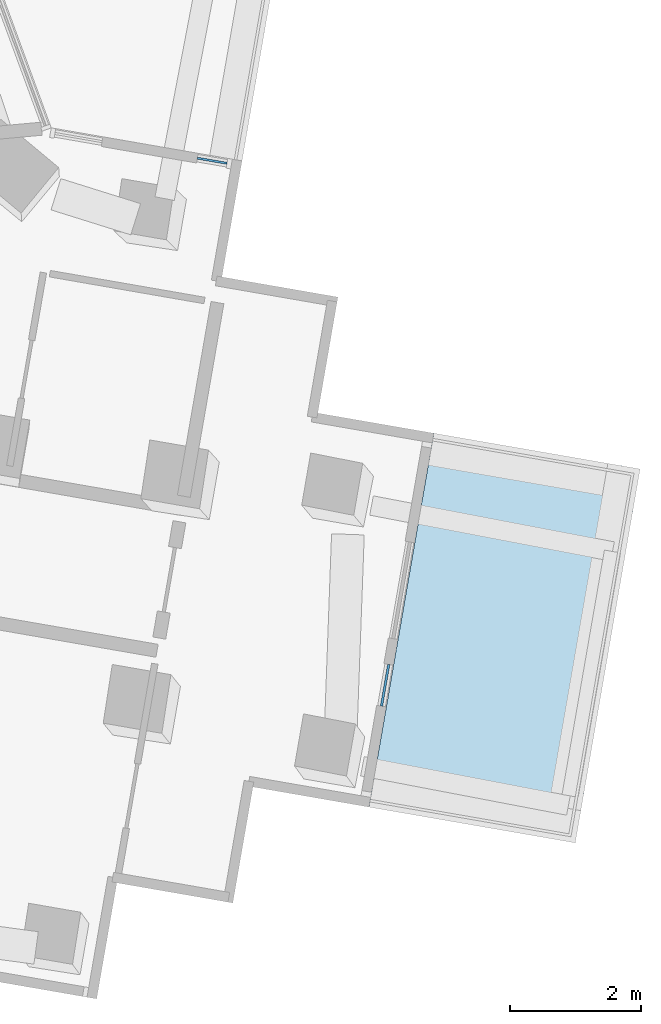
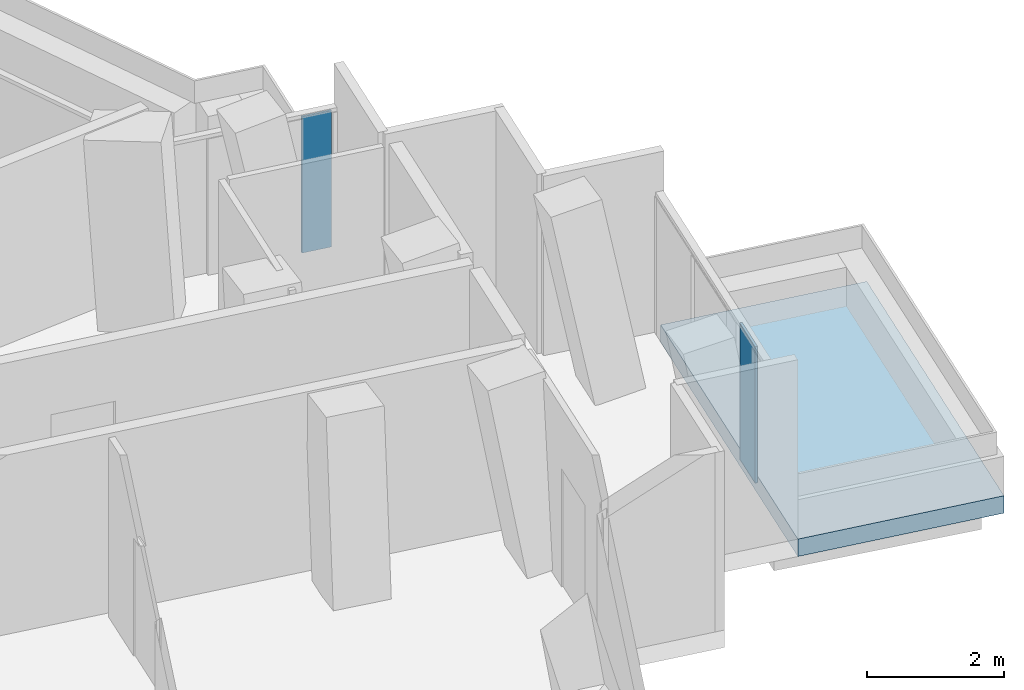
# One storey, part 13 of 24: 2 plates, 1 slab, 2 elements without a shape of their own.
"""IFC4 building model written with IfcOpenShell, lengths in metres."""

from ifc_helpers import new_model, si_unit, direction, frame, origin, origin_2d, place, context, subcontext, project, spatial, polyline, rectangle, outline, extrude, material, layer, layer_set, type_object, element, aggregate, save


model = new_model("IFC4")

# Units and contexts
model_context = context("Model", 3, precision=1e-05, world=origin(), true_north=direction((0.0, 1.0)))
body_context = subcontext(model_context, "Body", "Model", "MODEL_VIEW")
ifc_project = project(units=[si_unit("LENGTHUNIT", "METRE"), si_unit("AREAUNIT", "SQUARE_METRE"), si_unit("VOLUMEUNIT", "CUBIC_METRE"), si_unit("PLANEANGLEUNIT", "RADIAN"), si_unit("MASSUNIT", "GRAM", prefix="KILO")], contexts=[model_context])

# Site, building, storey
site_placement = place(None, origin())
site = spatial("IfcSite", under=ifc_project, at=site_placement, CompositionType="ELEMENT")
building_placement = place(site_placement, origin())
building = spatial("IfcBuilding", under=site, at=building_placement, Name="Verdalira Terraces Hotel", CompositionType="ELEMENT")
storey_placement = place(building_placement, frame((0.0, 0.0, 115.0)))
storey = spatial("IfcBuildingStorey", under=building, at=storey_placement, Name="L27", CompositionType="ELEMENT", Elevation=115.0)

# Slab
ifc_material_1 = material(Name="Precast concrete C40/50", Category="concrete")
ifc_layer_1 = layer(ifc_material_1, 0.31005859375)
ifc_layer_set_1 = layer_set([ifc_layer_1], Name="Balcony deck 310")
slab_type = type_object("IfcSlabType", Name="Balcony deck 310", PredefinedType="FLOOR", material=ifc_layer_set_1)
slab_placement = place(storey_placement, frame((0.0, 0.0, -0.310059)))
element("IfcSlab", 1, at=slab_placement, inside=storey, type_object=slab_type, Name="Balcony deck", PredefinedType="FLOOR", context=body_context, shape_type="SweptSolid", body=[
    extrude(outline(polyline([(34.012939, -2.956299), (30.859863, -2.409424), (29.868652, -8.124023), (33.021729, -8.670898), (34.012939, -2.956299)])), origin(), (0.0, 0.0, 1.0), 0.310059),
])

# Curtain wall, plate
ifc_material_2 = material(Name="Clear glass", Category="glass")
ifc_layer_2 = layer(ifc_material_2, 0.14990234375)
ifc_layer_set_2 = layer_set([ifc_layer_2], Name="CW2 curtain wall")
curtain_wall_type_1 = type_object("IfcCurtainWallType", Name="CW2 curtain wall", PredefinedType="NOTDEFINED", material=ifc_layer_set_2)
curtain_wall_1_placement = place(storey_placement, origin())
curtain_wall_1 = element("IfcCurtainWall", 2, at=curtain_wall_1_placement, inside=storey, type_object=curtain_wall_type_1, Name="CW2 curtain wall L27 edge 38", PredefinedType="NOTDEFINED")
ifc_material_3 = material(Name="Clear glass", Category="glass")
ifc_layer_3 = layer(ifc_material_3, 0.031982421875)
ifc_layer_set_3 = layer_set([ifc_layer_3], Name="CW2 glass unit 32")
plate_type_1 = type_object("IfcPlateType", Name="CW2 glass unit 32", PredefinedType="CURTAIN_PANEL", material=ifc_layer_set_3)
plate_1_placement = place(storey_placement, frame((27.471924, 1.755859, 0.0), z_axis=(0.0, 0.0, 1.0), x_axis=(-0.98528883, 0.170897402, 0.0)))
plate_1 = element("IfcPlate", 3, at=plate_1_placement, type_object=plate_type_1, Name="CW2 glass unit", PredefinedType="CURTAIN_PANEL", context=body_context, shape_type="SweptSolid", body=[
    extrude(rectangle(XDim=0.459961, YDim=0.031982, at=origin_2d()), origin(), (0.0, 0.0, 1.0), 2.425049),
])
aggregate(curtain_wall_1, [plate_1])

ifc_material_4 = material(Name="Clear glass", Category="glass")
ifc_layer_4 = layer(ifc_material_4, 0.14990234375)
ifc_layer_set_4 = layer_set([ifc_layer_4], Name="CW3 curtain wall")
curtain_wall_type_2 = type_object("IfcCurtainWallType", Name="CW3 curtain wall", PredefinedType="NOTDEFINED", material=ifc_layer_set_4)
curtain_wall_2_placement = place(storey_placement, origin())
curtain_wall_2 = element("IfcCurtainWall", 4, at=curtain_wall_2_placement, inside=storey, type_object=curtain_wall_type_2, Name="CW3 curtain wall L27 edge 33", PredefinedType="NOTDEFINED")
ifc_material_5 = material(Name="Clear glass", Category="glass")
ifc_layer_5 = layer(ifc_material_5, 0.035888671875)
ifc_layer_set_5 = layer_set([ifc_layer_5], Name="CW3 glass unit 36")
plate_type_2 = type_object("IfcPlateType", Name="CW3 glass unit 36", PredefinedType="CURTAIN_PANEL", material=ifc_layer_set_5)
plate_2_placement = place(storey_placement, frame((30.115479, -6.262451, 0.0), z_axis=(0.0, 0.0, 1.0), x_axis=(0.170897402, 0.98528883, 0.0)))
plate_2 = element("IfcPlate", 5, at=plate_2_placement, type_object=plate_type_2, Name="CW3 glass unit", PredefinedType="CURTAIN_PANEL", context=body_context, shape_type="SweptSolid", body=[
    extrude(rectangle(XDim=0.647217, YDim=0.035889, at=origin_2d()), origin(), (0.0, 0.0, 1.0), 2.425049),
])
aggregate(curtain_wall_2, [plate_2])

save(model, "model.ifc")
